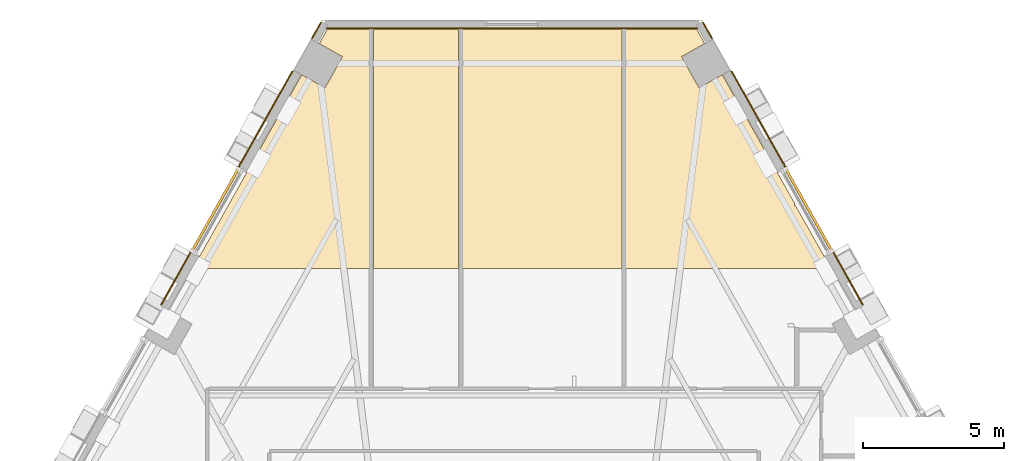
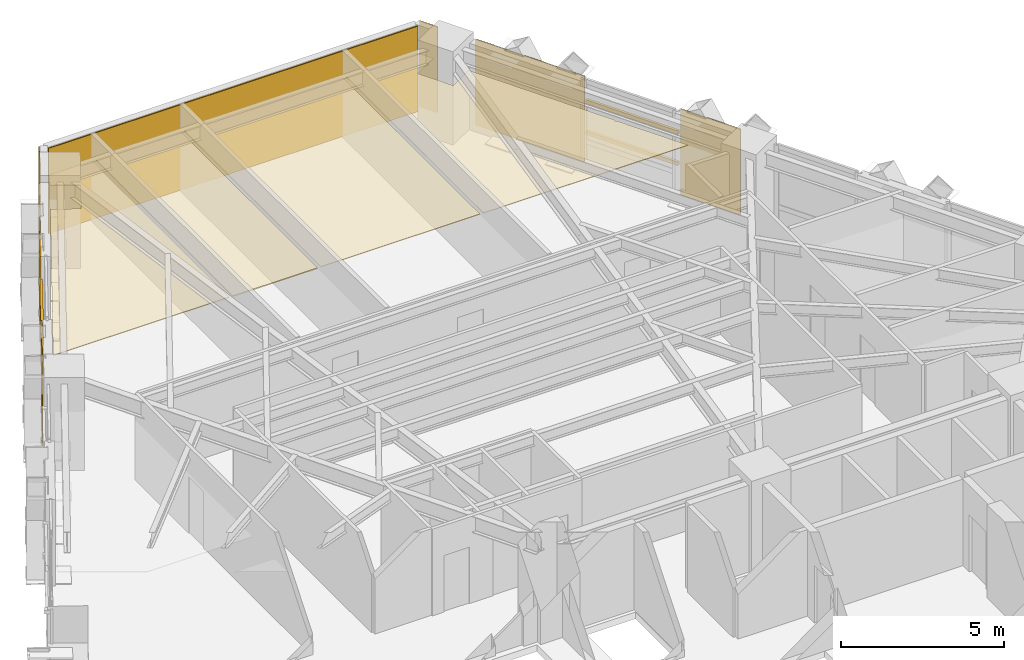
# One storey, part 13 of 13: 11 coverings, 4 shading devices.
"""IFC4 building model written with IfcOpenShell, lengths in metres."""

from ifc_helpers import new_model, si_unit, direction, frame, origin, origin_2d, place, context, subcontext, project, spatial, polyline, rectangle, outline, extrude, material, layer, layer_set, material_profile, profile_set, type_object, element, save


model = new_model("IFC4")

# Units and contexts
model_context = context("Model", 3, precision=1e-05, world=origin(), true_north=direction((0.0, 1.0)))
body_context = subcontext(model_context, "Body", "Model", "MODEL_VIEW")
ifc_project = project(units=[si_unit("LENGTHUNIT", "METRE"), si_unit("AREAUNIT", "SQUARE_METRE"), si_unit("VOLUMEUNIT", "CUBIC_METRE"), si_unit("PLANEANGLEUNIT", "RADIAN"), si_unit("MASSUNIT", "GRAM", prefix="KILO")], contexts=[model_context])

# Site, building, storey
site_placement = place(None, origin())
site = spatial("IfcSite", under=ifc_project, at=site_placement, CompositionType="ELEMENT")
building_placement = place(site_placement, origin())
building = spatial("IfcBuilding", under=site, at=building_placement, Name="Quenlor Broadcast Tower", CompositionType="ELEMENT")
storey_placement = place(building_placement, frame((0.0, 0.0, 31.10009765625)))
storey = spatial("IfcBuildingStorey", under=building, at=storey_placement, Name="L07", CompositionType="ELEMENT", Elevation=31.10009765625)

# Coverings
ifc_material_1 = material(Name="Acoustic Mineral Fibre Board", Category="other")
ifc_layer_1 = layer(ifc_material_1, 0.02490234375)
ifc_layer_set_1 = layer_set([ifc_layer_1], Name="Acoustic Perforated Mineral Tile Ceiling 25")
covering_type_1 = type_object("IfcCoveringType", Name="Acoustic Perforated Mineral Tile Ceiling 25", PredefinedType="CEILING", material=ifc_layer_set_1)
covering_1_placement = place(storey_placement, frame((0.0, 0.0, 2.224853515625)))
element("IfcCovering", 1, at=covering_1_placement, inside=storey, type_object=covering_type_1, Name="L07 Acoustic Ceiling L07-32-2", PredefinedType="CEILING", context=body_context, shape_type="SweptSolid", body=[
    extrude(outline(polyline([(-1.765869140625, 21.092041015625), (3.8798828125, 21.092041015625), (3.8798828125, 12.64990234375), (-1.765869140625, 12.64990234375), (-1.765869140625, 21.092041015625)])), origin(), (0.0, 0.0, 1.0), 0.025146484375),
])
covering_2_placement = place(storey_placement, frame((0.0, 0.0, 2.224853515625)))
element("IfcCovering", 2, at=covering_2_placement, inside=storey, type_object=covering_type_1, Name="L07 Acoustic Ceiling L07-33-2", PredefinedType="CEILING", context=body_context, shape_type="SweptSolid", body=[
    extrude(outline(polyline([(4.0, 21.092041015625), (6.533203125, 21.092041015625), (6.810791015625, 20.598388671875), (5.989013671875, 20.135986328125), (6.609619140625, 19.03271484375), (7.431396484375, 19.4951171875), (9.97998046875, 14.96435546875), (9.97998046875, 14.8408203125), (9.993408203125, 14.856201171875), (10.015625, 14.875), (11.27587890625, 12.64990234375), (4.0, 12.64990234375), (4.0, 21.092041015625)])), origin(), (0.0, 0.0, 1.0), 0.025146484375),
])
covering_3_placement = place(storey_placement, frame((0.0, 0.0, 2.224853515625)))
element("IfcCovering", 3, at=covering_3_placement, inside=storey, type_object=covering_type_1, Name="L07 Acoustic Ceiling L07-34-2", PredefinedType="CEILING", context=body_context, shape_type="SweptSolid", body=[
    extrude(outline(polyline([(-7.431396484375, 19.4951171875), (-6.609619140625, 19.03271484375), (-5.989013671875, 20.135986328125), (-6.810791015625, 20.598388671875), (-6.533203125, 21.092041015625), (-5.02001953125, 21.092041015625), (-5.02001953125, 12.64990234375), (-11.28173828125, 12.64990234375), (-7.431396484375, 19.4951171875)])), origin(), (0.0, 0.0, 1.0), 0.025146484375),
])
ifc_material_2 = material(Name="Acoustic Gypsum Board", Category="other")
ifc_layer_2 = layer(ifc_material_2, 0.0400390625)
ifc_layer_set_2 = layer_set([ifc_layer_2], Name="Broadcast Studio Spring Isolated Ceiling 40")
covering_type_2 = type_object("IfcCoveringType", Name="Broadcast Studio Spring Isolated Ceiling 40", PredefinedType="CEILING", material=ifc_layer_set_2)
covering_4_placement = place(storey_placement, frame((0.0, 0.0, 2.2099609375)))
element("IfcCovering", 4, at=covering_4_placement, inside=storey, type_object=covering_type_2, Name="L07 Acoustic Ceiling L07-31-2", PredefinedType="CEILING", context=body_context, shape_type="SweptSolid", body=[
    extrude(outline(polyline([(-1.8857421875, 12.64990234375), (-4.89990234375, 12.64990234375), (-4.89990234375, 21.092041015625), (-1.8857421875, 21.092041015625), (-1.8857421875, 12.64990234375)])), origin(), (0.0, 0.0, 1.0), 0.0400390625),
])

# Shading devices
ifc_material_3 = material(Name="Architectural Terracotta Ceramic", Category="masonry")
ifc_material_profile = material_profile(ifc_material_3, rectangle(XDim=0.090087890625, YDim=0.139892578125, at=origin_2d()))
ifc_profile_set = profile_set([ifc_material_profile], Name="Architectural Terracotta Ceramic BAG90x140")
shading_device_type = type_object("IfcShadingDeviceType", Name="Copper Terracotta Baguette Solar Screen 140", PredefinedType="USERDEFINED", material=ifc_profile_set)
for number, where, z_axis, x_axis, name in (
    (5, (9.680908203125, 16.15478515625, 1.169921875), (0.490233146241, -0.871591339061, 0.0), (0.871591339061, 0.490233146241, 0.0), "L07 Terracotta Baguette Screen 1"),
    (6, (9.680908203125, 16.15478515625, 2.33984375), (0.490233146241, -0.871591339061, 0.0), (0.871591339061, 0.490233146241, 0.0), "L07 Terracotta Baguette Screen 2"),
    (7, (-11.299072265625, 13.27783203125, 1.169921875), (0.490233146241, 0.871591339061, 0.0), (-0.871591339061, 0.490233146241, 0.0), "L07 Terracotta Baguette Screen 1"),
    (8, (-11.299072265625, 13.27783203125, 2.33984375), (0.490233146241, 0.871591339061, 0.0), (-0.871591339061, 0.490233146241, 0.0), "L07 Terracotta Baguette Screen 2"),
):
    element("IfcShadingDevice", number, at=place(storey_placement, frame(where, z_axis=z_axis, x_axis=x_axis)), inside=storey, type_object=shading_device_type, Name=name, ObjectType="BAGUETTE", PredefinedType="USERDEFINED", context=body_context, shape_type="SweptSolid", body=[
        extrude(rectangle(XDim=0.090087890625, YDim=0.139892578125, at=origin_2d()), origin(), (0.0, 0.0, 1.0), 3.30078125),
    ])

# Coverings
ifc_material_4 = material(Name="Architectural Terracotta Ceramic", Category="masonry")
ifc_layer_3 = layer(ifc_material_4, 0.044921875)
ifc_layer_set_3 = layer_set([ifc_layer_3], Name="Fluted Terracotta Rainscreen Cladding Panel")
covering_type_3 = type_object("IfcCoveringType", Name="Fluted Terracotta Rainscreen Cladding Panel", PredefinedType="CLADDING", material=ifc_layer_set_3)
covering_5_placement = place(storey_placement, frame((0.0, 0.0, 0.02001953125)))
element("IfcCovering", 9, at=covering_5_placement, inside=storey, type_object=covering_type_3, Name="L07 Terracotta Rainscreen Cladding L07-SHD-NES0", PredefinedType="CLADDING", context=body_context, shape_type="SweptSolid", body=[
    extrude(outline(polyline([(6.734130859375, 21.330078125), (7.052001953125, 20.76513671875), (7.09130859375, 20.787109375), (6.7734375, 21.35205078125), (6.734130859375, 21.330078125)])), origin(), (0.0, 0.0, 1.0), 3.2099609375),
])
covering_6_placement = place(storey_placement, frame((0.0, 0.0, 0.02001953125)))
element("IfcCovering", 10, at=covering_6_placement, inside=storey, type_object=covering_type_3, Name="L07 Terracotta Rainscreen Cladding L07-NEA-SP1", PredefinedType="CLADDING", context=body_context, shape_type="SweptSolid", body=[
    extrude(outline(polyline([(7.735107421875, 19.612060546875), (9.645751953125, 16.215576171875), (9.684814453125, 16.237548828125), (7.7744140625, 19.634033203125), (7.735107421875, 19.612060546875)])), origin(), (0.0, 0.0, 1.0), 3.2099609375),
])
covering_7_placement = place(storey_placement, frame((0.0, 0.0, 0.02001953125)))
element("IfcCovering", 11, at=covering_7_placement, inside=storey, type_object=covering_type_3, Name="L07 Terracotta Rainscreen Cladding L07-NEA-SP2", PredefinedType="CLADDING", context=body_context, shape_type="SweptSolid", body=[
    extrude(outline(polyline([(11.33251953125, 13.21630859375), (12.380615234375, 11.353515625), (12.419677734375, 11.37548828125), (11.371826171875, 13.23828125), (11.33251953125, 13.21630859375)])), origin(), (0.0, 0.0, 1.0), 3.2099609375),
])
covering_8_placement = place(storey_placement, frame((0.0, 0.0, 0.02001953125)))
element("IfcCovering", 12, at=covering_8_placement, inside=storey, type_object=covering_type_3, Name="L07 Terracotta Rainscreen Cladding L07-SHD-NWS1", PredefinedType="CLADDING", context=body_context, shape_type="SweptSolid", body=[
    extrude(outline(polyline([(-7.052001953125, 20.76513671875), (-6.734130859375, 21.330078125), (-6.7734375, 21.35205078125), (-7.09130859375, 20.787109375), (-7.052001953125, 20.76513671875)])), origin(), (0.0, 0.0, 1.0), 3.2099609375),
])
covering_9_placement = place(storey_placement, frame((0.0, 0.0, 0.02001953125)))
element("IfcCovering", 13, at=covering_9_placement, inside=storey, type_object=covering_type_3, Name="L07 Terracotta Rainscreen Cladding L07-NWC-SP1", PredefinedType="CLADDING", context=body_context, shape_type="SweptSolid", body=[
    extrude(outline(polyline([(-12.380615234375, 11.353515625), (-11.33251953125, 13.21630859375), (-11.371826171875, 13.23828125), (-12.419677734375, 11.37548828125), (-12.380615234375, 11.353515625)])), origin(), (0.0, 0.0, 1.0), 3.2099609375),
])
covering_10_placement = place(storey_placement, frame((0.0, 0.0, 0.02001953125)))
element("IfcCovering", 14, at=covering_10_placement, inside=storey, type_object=covering_type_3, Name="L07 Terracotta Rainscreen Cladding L07-NWC-SP2", PredefinedType="CLADDING", context=body_context, shape_type="SweptSolid", body=[
    extrude(outline(polyline([(-9.645751953125, 16.215576171875), (-7.735107421875, 19.612060546875), (-7.7744140625, 19.634033203125), (-9.684814453125, 16.237548828125), (-9.645751953125, 16.215576171875)])), origin(), (0.0, 0.0, 1.0), 3.2099609375),
])
covering_11_placement = place(storey_placement, frame((0.0, 0.0, 0.02001953125)))
element("IfcCovering", 15, at=covering_11_placement, inside=storey, type_object=covering_type_3, Name="L07 Terracotta Rainscreen Cladding L07-CNR-02", PredefinedType="CLADDING", context=body_context, shape_type="SweptSolid", body=[
    extrude(outline(polyline([(6.568359375, 21.159912109375), (-6.558349609375, 21.159912109375), (-6.558349609375, 21.114990234375), (6.568359375, 21.114990234375), (6.568359375, 21.159912109375)])), origin(), (0.0, 0.0, 1.0), 3.2099609375),
])

save(model, "model.ifc")
